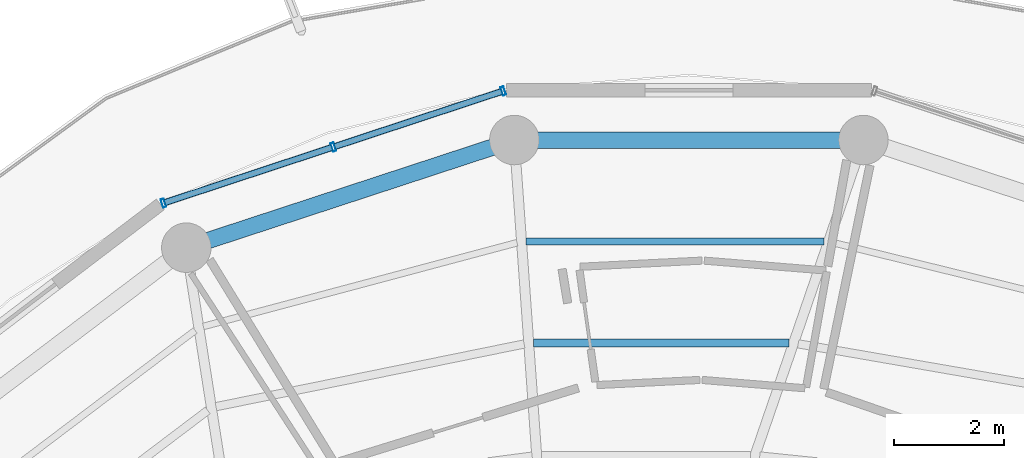
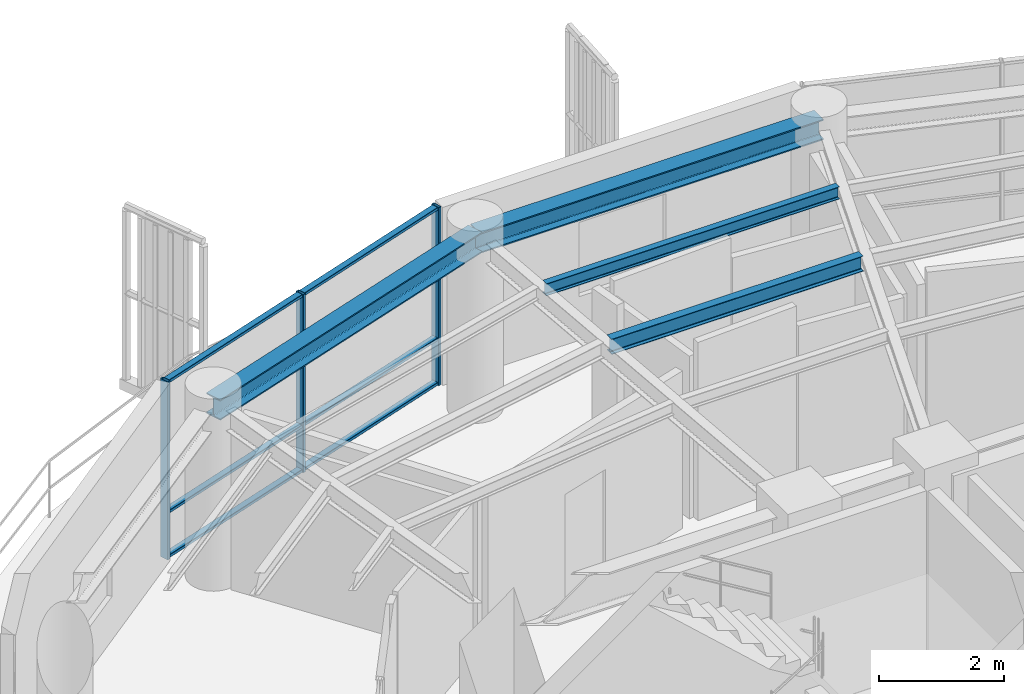
# One storey, part 13 of 23: 9 members, 4 beams, 1 element without a shape of its own.
"""IFC4 building model written with IfcOpenShell, lengths in metres."""

from ifc_helpers import new_model, si_unit, direction, frame, origin, origin_2d, place, context, subcontext, project, spatial, hollow_rectangle, i_section, extrude, material, layer, layer_set, material_profile, profile_set, type_object, element, aggregate, save


model = new_model("IFC4")

# Units and contexts
model_context = context("Model", 3, precision=1e-05, world=origin(), true_north=direction((0.0, 1.0)))
body_context = subcontext(model_context, "Body", "Model", "MODEL_VIEW")
ifc_project = project(units=[si_unit("LENGTHUNIT", "METRE"), si_unit("AREAUNIT", "SQUARE_METRE"), si_unit("VOLUMEUNIT", "CUBIC_METRE"), si_unit("PLANEANGLEUNIT", "RADIAN"), si_unit("MASSUNIT", "GRAM", prefix="KILO")], contexts=[model_context])

# Site, building, storey
site_placement = place(None, origin())
site = spatial("IfcSite", under=ifc_project, at=site_placement, CompositionType="ELEMENT")
building_placement = place(site_placement, origin())
building = spatial("IfcBuilding", under=site, at=building_placement, Name="Kelanora Arch Commons", CompositionType="ELEMENT")
storey_placement = place(building_placement, frame((0.0, 0.0, 256.199951171875)))
storey = spatial("IfcBuildingStorey", under=building, at=storey_placement, Name="L65", CompositionType="ELEMENT", Elevation=256.199951171875)

# Beams
ifc_material_1 = material(Name="Steel S355", Category="steel")
ifc_material_profile_1 = material_profile(ifc_material_1, i_section(OverallWidth=0.14990234375, OverallDepth=0.300048828125, WebThickness=0.007080078125, FlangeThickness=0.0107421875, FilletRadius=0.014892578125, at=origin_2d()), Name="IPE300")
ifc_profile_set_1 = profile_set([ifc_material_profile_1], Name="Steel S355")
beam_type_1 = type_object("IfcBeamType", Name="BM-JST-01", PredefinedType="JOIST", material=ifc_profile_set_1)
beam_1_placement = place(storey_placement, frame((75.819580078125, 70.537841796875, 3.340087890625), z_axis=(-1.0, 0.0, 0.0), x_axis=(0.0, -1.0, 0.0)))
element("IfcBeam", 1, at=beam_1_placement, inside=storey, type_object=beam_type_1, Name="Secondary Chord Joist BJB-08 L65", PredefinedType="JOIST", context=body_context, shape_type="SweptSolid", body=[
    extrude(i_section(OverallWidth=0.14990234375, OverallDepth=0.300048828125, WebThickness=0.007080078125, FlangeThickness=0.0107421875, FilletRadius=0.014892578125, at=origin_2d()), origin(), (0.0, 0.0, 1.0), 4.647216796875),
])
ifc_material_profile_2 = material_profile(ifc_material_1, i_section(OverallWidth=0.1201171875, OverallDepth=0.239990234375, WebThickness=0.006103515625, FlangeThickness=0.009765625, FilletRadius=0.014892578125, at=origin_2d()), Name="IPE240")
ifc_profile_set_2 = profile_set([ifc_material_profile_2], Name="Steel S355")
beam_type_2 = type_object("IfcBeamType", Name="BM-JST-02", PredefinedType="JOIST", material=ifc_profile_set_2)
beam_2_placement = place(storey_placement, frame((76.454345703125, 72.3837890625, 3.3701171875), z_axis=(-1.0, 0.0, 0.0), x_axis=(0.0, -1.0, 0.0)))
element("IfcBeam", 2, at=beam_2_placement, inside=storey, type_object=beam_type_2, Name="Secondary Chord Joist BJC-08 L65", PredefinedType="JOIST", context=body_context, shape_type="SweptSolid", body=[
    extrude(i_section(OverallWidth=0.1201171875, OverallDepth=0.239990234375, WebThickness=0.006103515625, FlangeThickness=0.009765625, FilletRadius=0.014892578125, at=origin_2d()), origin(), (0.0, 0.0, 1.0), 5.412841796875),
])
ifc_material_profile_3 = material_profile(ifc_material_1, i_section(OverallWidth=0.300048828125, OverallDepth=0.39990234375, WebThickness=0.013427734375, FlangeThickness=0.02392578125, FilletRadius=0.027099609375, at=origin_2d()), Name="HEB400")
ifc_profile_set_3 = profile_set([ifc_material_profile_3], Name="Steel S355")
beam_type_3 = type_object("IfcBeamType", Name="BM-SPN-Z4", PredefinedType="SPANDREL", material=ifc_profile_set_3)
beam_3_placement = place(storey_placement, frame((77.17431640625, 74.2294921875, 3.2900390625), z_axis=(-1.0, 0.0, 0.0), x_axis=(0.0, -1.0, 0.0)))
element("IfcBeam", 3, at=beam_3_placement, inside=storey, type_object=beam_type_3, Name="Perimeter Spandrel Beam BS-08 L65", PredefinedType="SPANDREL", context=body_context, shape_type="SweptSolid", body=[
    extrude(i_section(OverallWidth=0.300048828125, OverallDepth=0.39990234375, WebThickness=0.013427734375, FlangeThickness=0.02392578125, FilletRadius=0.027099609375, at=origin_2d()), origin(), (0.0, 0.0, 1.0), 6.3486328125),
])
beam_4_placement = place(storey_placement, frame((70.82568359375, 74.2294921875, 3.2900390625), z_axis=(-0.950165923039, -0.311744636996, 0.0), x_axis=(0.311744636996, -0.950165923039, 0.0)))
element("IfcBeam", 4, at=beam_4_placement, inside=storey, type_object=beam_type_3, Name="Perimeter Spandrel Beam BS-10 L65", PredefinedType="SPANDREL", context=body_context, shape_type="SweptSolid", body=[
    extrude(i_section(OverallWidth=0.300048828125, OverallDepth=0.39990234375, WebThickness=0.013427734375, FlangeThickness=0.02392578125, FilletRadius=0.027099609375, at=origin_2d()), origin(), (0.0, 0.0, 1.0), 6.278564453125),
])

# Curtain wall, members
ifc_material_2 = material(Name="Terracotta ceramic-fritted low-E glass and aluminium", Category="masonry")
ifc_layer = layer(ifc_material_2, 0.18994140625)
ifc_layer_set = layer_set([ifc_layer], Name="Terracotta ceramic-fritted low-E glass and aluminium")
curtain_wall_type = type_object("IfcCurtainWallType", Name="CW-SYS-03", PredefinedType="NOTDEFINED", material=ifc_layer_set)
curtain_wall_placement = place(storey_placement, origin())
curtain_wall = element("IfcCurtainWall", 5, at=curtain_wall_placement, inside=storey, type_object=curtain_wall_type, Name="Unitised Curtain Wall L65-B05", PredefinedType="NOTDEFINED")
ifc_material_3 = material(Name="Powder-coated aluminium terracotta", Category="masonry")
ifc_material_profile_4 = material_profile(ifc_material_3, hollow_rectangle(XDim=0.159912109375, YDim=0.06005859375, WallThickness=0.0048828125, InnerFilletRadius=0.0048828125, OuterFilletRadius=0.010009765625, at=origin_2d()), Name="CWM160x60")
ifc_profile_set_4 = profile_set([ifc_material_profile_4], Name="Powder-coated aluminium terracotta")
member_type_1 = type_object("IfcMemberType", Name="CWM-STD", PredefinedType="MULLION", material=ifc_profile_set_4)
member_1_placement = place(storey_placement, frame((70.623291015625, 75.12158203125, 0.0), z_axis=(0.0, 0.0, 1.0), x_axis=(0.313252785344, -0.949669780752, 0.0)))
member_1 = element("IfcMember", 6, at=member_1_placement, type_object=member_type_1, Name="CW-03 mullion 1", PredefinedType="MULLION", context=body_context, shape_type="SweptSolid", body=[
    extrude(hollow_rectangle(XDim=0.159912109375, YDim=0.06005859375, WallThickness=0.0048828125, InnerFilletRadius=0.0048828125, OuterFilletRadius=0.010009765625, at=origin_2d()), origin(), (0.0, 0.0, 1.0), 3.47509765625),
])
member_2_placement = place(storey_placement, frame((67.532958984375, 74.102294921875, 0.0), z_axis=(0.0, 0.0, 1.0), x_axis=(0.313252785344, -0.949669780752, 0.0)))
member_2 = element("IfcMember", 7, at=member_2_placement, type_object=member_type_1, Name="CW-03 mullion 2", PredefinedType="MULLION", context=body_context, shape_type="SweptSolid", body=[
    extrude(hollow_rectangle(XDim=0.159912109375, YDim=0.06005859375, WallThickness=0.0048828125, InnerFilletRadius=0.0048828125, OuterFilletRadius=0.010009765625, at=origin_2d()), origin(), (0.0, 0.0, 1.0), 3.47509765625),
])
member_3_placement = place(storey_placement, frame((64.442626953125, 73.0830078125, 0.0), z_axis=(0.0, 0.0, 1.0), x_axis=(0.313252785344, -0.949669780752, 0.0)))
member_3 = element("IfcMember", 8, at=member_3_placement, type_object=member_type_1, Name="CW-03 mullion 3", PredefinedType="MULLION", context=body_context, shape_type="SweptSolid", body=[
    extrude(hollow_rectangle(XDim=0.159912109375, YDim=0.06005859375, WallThickness=0.0048828125, InnerFilletRadius=0.0048828125, OuterFilletRadius=0.010009765625, at=origin_2d()), origin(), (0.0, 0.0, 1.0), 3.47509765625),
])
ifc_material_profile_5 = material_profile(ifc_material_3, hollow_rectangle(XDim=0.1201171875, YDim=0.06005859375, WallThickness=0.0048828125, InnerFilletRadius=0.0048828125, OuterFilletRadius=0.010009765625, at=origin_2d()), Name="CWT120x60")
ifc_profile_set_5 = profile_set([ifc_material_profile_5], Name="Powder-coated aluminium terracotta")
member_type_2 = type_object("IfcMemberType", Name="CWT-STD", PredefinedType="USERDEFINED", material=ifc_profile_set_5)
member_4_placement = place(storey_placement, frame((70.5947265625, 75.1123046875, 0.030029296875), z_axis=(-0.949649574195, -0.313314037719, 0.0), x_axis=(0.313314037719, -0.949649574195, 0.0)))
member_4 = element("IfcMember", 9, at=member_4_placement, type_object=member_type_2, Name="CW-03 transom 1.1", ObjectType="TRANSOM", PredefinedType="USERDEFINED", context=body_context, shape_type="SweptSolid", body=[
    extrude(hollow_rectangle(XDim=0.1201171875, YDim=0.06005859375, WallThickness=0.0048828125, InnerFilletRadius=0.0048828125, OuterFilletRadius=0.010009765625, at=origin_2d()), origin(), (0.0, 0.0, 1.0), 3.194091796875),
])
member_5_placement = place(storey_placement, frame((70.5947265625, 75.1123046875, 0.900146484375), z_axis=(-0.949649574195, -0.313314037719, 0.0), x_axis=(0.313314037719, -0.949649574195, 0.0)))
member_5 = element("IfcMember", 10, at=member_5_placement, type_object=member_type_2, Name="CW-03 transom 1.2", ObjectType="TRANSOM", PredefinedType="USERDEFINED", context=body_context, shape_type="SweptSolid", body=[
    extrude(hollow_rectangle(XDim=0.1201171875, YDim=0.06005859375, WallThickness=0.0048828125, InnerFilletRadius=0.0048828125, OuterFilletRadius=0.010009765625, at=origin_2d()), origin(), (0.0, 0.0, 1.0), 3.194091796875),
])
member_6_placement = place(storey_placement, frame((70.5947265625, 75.1123046875, 3.445068359375), z_axis=(-0.949649574195, -0.313314037719, 0.0), x_axis=(0.313314037719, -0.949649574195, 0.0)))
member_6 = element("IfcMember", 11, at=member_6_placement, type_object=member_type_2, Name="CW-03 transom 1.3", ObjectType="TRANSOM", PredefinedType="USERDEFINED", context=body_context, shape_type="SweptSolid", body=[
    extrude(hollow_rectangle(XDim=0.1201171875, YDim=0.06005859375, WallThickness=0.0048828125, InnerFilletRadius=0.0048828125, OuterFilletRadius=0.010009765625, at=origin_2d()), origin(), (0.0, 0.0, 1.0), 3.194091796875),
])
member_7_placement = place(storey_placement, frame((67.50439453125, 74.0927734375, 0.030029296875), z_axis=(-0.949672315102, -0.313245102003, 0.0), x_axis=(0.313245102003, -0.949672315102, 0.0)))
member_7 = element("IfcMember", 12, at=member_7_placement, type_object=member_type_2, Name="CW-03 transom 2.1", ObjectType="TRANSOM", PredefinedType="USERDEFINED", context=body_context, shape_type="SweptSolid", body=[
    extrude(hollow_rectangle(XDim=0.1201171875, YDim=0.06005859375, WallThickness=0.0048828125, InnerFilletRadius=0.0048828125, OuterFilletRadius=0.010009765625, at=origin_2d()), origin(), (0.0, 0.0, 1.0), 3.19384765625),
])
member_8_placement = place(storey_placement, frame((67.50439453125, 74.0927734375, 0.900146484375), z_axis=(-0.949672315102, -0.313245102003, 0.0), x_axis=(0.313245102003, -0.949672315102, 0.0)))
member_8 = element("IfcMember", 13, at=member_8_placement, type_object=member_type_2, Name="CW-03 transom 2.2", ObjectType="TRANSOM", PredefinedType="USERDEFINED", context=body_context, shape_type="SweptSolid", body=[
    extrude(hollow_rectangle(XDim=0.1201171875, YDim=0.06005859375, WallThickness=0.0048828125, InnerFilletRadius=0.0048828125, OuterFilletRadius=0.010009765625, at=origin_2d()), origin(), (0.0, 0.0, 1.0), 3.19384765625),
])
member_9_placement = place(storey_placement, frame((67.50439453125, 74.0927734375, 3.445068359375), z_axis=(-0.949672315102, -0.313245102003, 0.0), x_axis=(0.313245102003, -0.949672315102, 0.0)))
member_9 = element("IfcMember", 14, at=member_9_placement, type_object=member_type_2, Name="CW-03 transom 2.3", ObjectType="TRANSOM", PredefinedType="USERDEFINED", context=body_context, shape_type="SweptSolid", body=[
    extrude(hollow_rectangle(XDim=0.1201171875, YDim=0.06005859375, WallThickness=0.0048828125, InnerFilletRadius=0.0048828125, OuterFilletRadius=0.010009765625, at=origin_2d()), origin(), (0.0, 0.0, 1.0), 3.19384765625),
])
aggregate(curtain_wall, [member_1, member_2, member_3, member_4, member_5, member_6, member_7, member_8, member_9])

save(model, "model.ifc")
